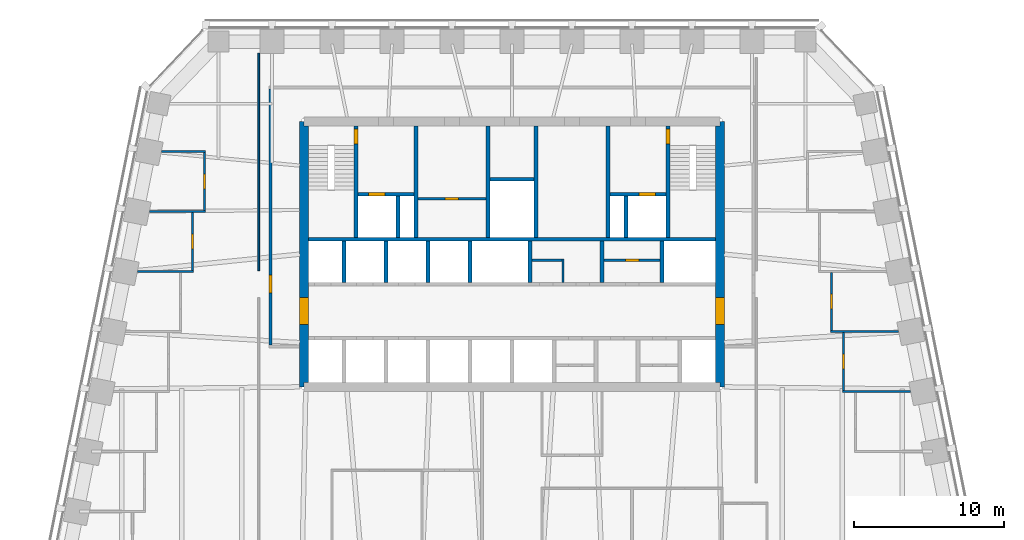
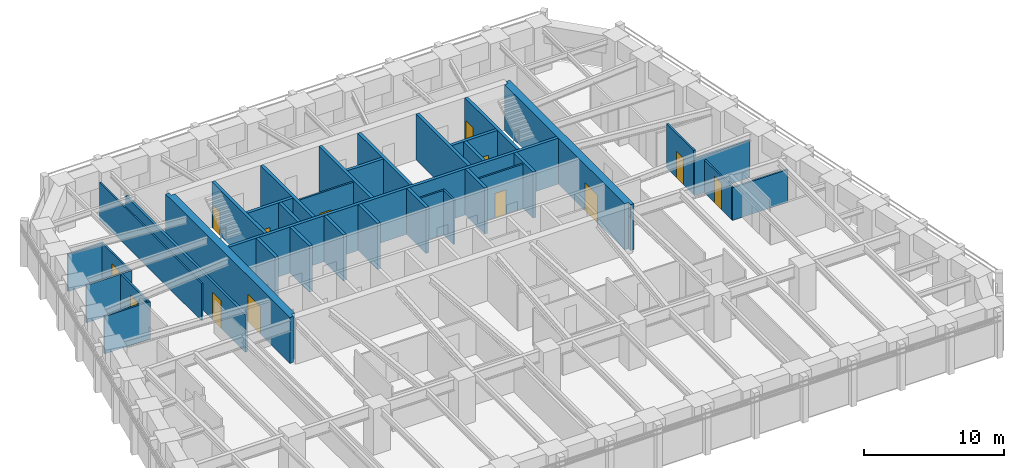
# One storey, part 7 of 10: 36 walls, 13 doors, 13 openings.
"""IFC4 building model written with IfcOpenShell, lengths in metres."""

from ifc_helpers import new_model, si_unit, direction, frame, frame_2d, origin, place, context, subcontext, project, spatial, polyline, rectangle, outline, extrude, material, layer, layer_set, type_object, element, fill, save


model = new_model("IFC4")

# Units and contexts
model_context = context("Model", 3, precision=1e-05, world=origin(), true_north=direction((0.0, 1.0)))
body_context = subcontext(model_context, "Body", "Model", "MODEL_VIEW")
ifc_project = project(units=[si_unit("LENGTHUNIT", "METRE"), si_unit("AREAUNIT", "SQUARE_METRE"), si_unit("VOLUMEUNIT", "CUBIC_METRE"), si_unit("PLANEANGLEUNIT", "RADIAN"), si_unit("MASSUNIT", "GRAM", prefix="KILO")], contexts=[model_context])

# Site, building, storey
site_placement = place(None, origin())
site = spatial("IfcSite", under=ifc_project, at=site_placement, CompositionType="ELEMENT")
building_placement = place(site_placement, origin())
building = spatial("IfcBuilding", under=site, at=building_placement, Name="Isbrekke Arena Tower", CompositionType="ELEMENT")
storey_placement = place(building_placement, frame((0.0, 0.0, 198.0)))
storey = spatial("IfcBuildingStorey", under=building, at=storey_placement, Name="L45", CompositionType="ELEMENT", Elevation=198.0)

# Wall, opening, door
ifc_material_1 = material(Name="Concrete B55 (C55/67)", Category="concrete")
ifc_layer_1 = layer(ifc_material_1, 0.60009765625)
ifc_layer_set_1 = layer_set([ifc_layer_1], Name="CW4 CORE WALL 600")
wall_type_1 = type_object("IfcWallType", Name="CW4 CORE WALL 600", PredefinedType="SHEAR", material=ifc_layer_set_1)
wall_1_placement = place(storey_placement, frame((13.85009765625, 6.14990234375, 0.0), z_axis=(0.0, 0.0, 1.0), x_axis=(0.0, 1.0, 0.0)))
wall_1 = element("IfcWall", 1, at=wall_1_placement, inside=storey, type_object=wall_type_1, Name="Core wall E L45", PredefinedType="SHEAR", context=body_context, shape_type="SweptSolid", body=[
    extrude(outline(polyline([(0.0, -0.300048828125), (17.7001953125, -0.300048828125), (17.7001953125, 0.0), (17.400146484375, 0.0), (17.400146484375, 0.300048828125), (0.300048828125, 0.300048828125), (0.300048828125, 0.0), (0.0, 0.0), (0.0, -0.300048828125)])), origin(), (0.0, 0.0, 1.0), 4.0),
])
opening_1_placement = place(wall_1_placement, frame((4.14990234375, 0.0, 0.0)))
opening_1 = element("IfcOpeningElement", 2, at=opening_1_placement, cuts=wall_1, Name="Opening D1", PredefinedType="OPENING", context=body_context, shape_type="SweptSolid", body=[
    extrude(rectangle(XDim=1.800048828125, YDim=2.39990234375, at=frame_2d((0.89990234375, 1.199951171875))), frame((0.0, 0.31494140625, 0.0), z_axis=(0.0, -1.0, 0.0), x_axis=(1.0, 0.0, 0.0)), (0.0, 0.0, 1.0), 0.6298828125),
])
ifc_material_2 = material(Name="Steel-framed glazed fire door", Category="steel")
door_type_1 = type_object("IfcDoorType", Name="D1 CORE LOBBY DOOR 1800 x 2400", OperationType="DOUBLE_DOOR_SINGLE_SWING", PredefinedType="DOOR", material=ifc_material_2)
door_1_placement = place(opening_1_placement, origin())
door_1 = element("IfcDoor", 3, at=door_1_placement, inside=storey, type_object=door_type_1, Name="D1 lift lobby door east L45", OperationType="DOUBLE_DOOR_SINGLE_SWING", OverallHeight=2.39990234375, OverallWidth=1.800048828125, PredefinedType="DOOR", context=body_context, shape_type="SweptSolid", body=[
    extrude(rectangle(XDim=1.800048828125, YDim=2.39990234375, at=frame_2d((0.89990234375, 1.199951171875))), frame((0.0, 0.2998046875, 0.0), z_axis=(0.0, -1.0, 0.0), x_axis=(1.0, 0.0, 0.0)), (0.0, 0.0, 1.0), 0.599609375),
])
fill(opening_1, door_1)

wall_2_placement = place(storey_placement, frame((-13.85009765625, 23.85009765625, 0.0), z_axis=(0.0, 0.0, 1.0), x_axis=(0.0, -1.0, 0.0)))
wall_2 = element("IfcWall", 4, at=wall_2_placement, inside=storey, type_object=wall_type_1, Name="Core wall W L45", PredefinedType="SHEAR", context=body_context, shape_type="SweptSolid", body=[
    extrude(outline(polyline([(0.0, -0.300048828125), (17.7001953125, -0.300048828125), (17.7001953125, 0.0), (17.400146484375, 0.0), (17.400146484375, 0.300048828125), (0.300048828125, 0.300048828125), (0.300048828125, 0.0), (0.0, 0.0), (0.0, -0.300048828125)])), origin(), (0.0, 0.0, 1.0), 4.0),
])
opening_2_placement = place(wall_2_placement, frame((11.75, 0.0, 0.0)))
opening_2 = element("IfcOpeningElement", 5, at=opening_2_placement, cuts=wall_2, Name="Opening D1", PredefinedType="OPENING", context=body_context, shape_type="SweptSolid", body=[
    extrude(rectangle(XDim=1.800048828125, YDim=2.39990234375, at=frame_2d((0.89990234375, 1.199951171875))), frame((0.0, 0.31494140625, 0.0), z_axis=(0.0, -1.0, 0.0), x_axis=(1.0, 0.0, 0.0)), (0.0, 0.0, 1.0), 0.6298828125),
])
door_2_placement = place(opening_2_placement, origin())
door_2 = element("IfcDoor", 6, at=door_2_placement, inside=storey, type_object=door_type_1, Name="D1 lift lobby door west L45", OperationType="DOUBLE_DOOR_SINGLE_SWING", OverallHeight=2.39990234375, OverallWidth=1.800048828125, PredefinedType="DOOR", context=body_context, shape_type="SweptSolid", body=[
    extrude(rectangle(XDim=1.800048828125, YDim=2.39990234375, at=frame_2d((0.89990234375, 1.199951171875))), frame((0.0, 0.2998046875, 0.0), z_axis=(0.0, -1.0, 0.0), x_axis=(1.0, 0.0, 0.0)), (0.0, 0.0, 1.0), 0.599609375),
])
fill(opening_2, door_2)

# Walls
ifc_material_3 = material(Name="Concrete B45 (C45/55)", Category="concrete")
ifc_layer_2 = layer(ifc_material_3, 0.25)
ifc_layer_set_2 = layer_set([ifc_layer_2], Name="CW6 SHAFT WALL 250")
wall_type_2 = type_object("IfcWallType", Name="CW6 SHAFT WALL 250", PredefinedType="SHEAR", material=ifc_layer_set_2)
wall_3_placement = place(storey_placement, frame((-13.550048828125, 16.0, 0.0), z_axis=(0.0, 0.0, 1.0), x_axis=(1.0, 0.0, 0.0)))
element("IfcWall", 7, at=wall_3_placement, inside=storey, type_object=wall_type_2, Name="Core wall NB L45", PredefinedType="SHEAR", context=body_context, shape_type="SweptSolid", body=[
    extrude(rectangle(XDim=27.10009765625, YDim=0.25, at=frame_2d((13.550048828125, 0.0))), origin(), (0.0, 0.0, 1.0), 4.0),
])
for number, where, z_axis, x_axis, name in (
    (8, (-11.199951171875, 13.125, 0.0), (0.0, 0.0, 1.0), (0.0, 1.0, 0.0), "Core wall SN01 L45"),
    (9, (-8.39990234375, 13.125, 0.0), (0.0, 0.0, 1.0), (0.0, 1.0, 0.0), "Core wall SN02 L45"),
    (10, (-5.60009765625, 13.125, 0.0), (0.0, 0.0, 1.0), (0.0, 1.0, 0.0), "Core wall SN03 L45"),
    (11, (-2.800048828125, 13.125, 0.0), (0.0, 0.0, 1.0), (0.0, 1.0, 0.0), "Core wall SN04 L45"),
    (12, (1.199951171875, 13.125, 0.0), (0.0, 0.0, 1.0), (0.0, 1.0, 0.0), "Core wall SN05 L45"),
    (13, (6.0, 13.125, 0.0), (0.0, 0.0, 1.0), (0.0, 1.0, 0.0), "Core wall SN06 L45"),
    (14, (10.0, 13.125, 0.0), (0.0, 0.0, 1.0), (0.0, 1.0, 0.0), "Core wall SN07 L45"),
):
    element("IfcWall", number, at=place(storey_placement, frame(where, z_axis=z_axis, x_axis=x_axis)), inside=storey, type_object=wall_type_2, Name=name, PredefinedType="SHEAR", context=body_context, shape_type="SweptSolid", body=[
        extrude(rectangle(XDim=2.75, YDim=0.25, at=frame_2d((1.375, 0.0))), origin(), (0.0, 0.0, 1.0), 4.0),
    ])

# Wall, opening, door
wall_4_placement = place(storey_placement, frame((-10.39990234375, 16.125, 0.0), z_axis=(0.0, 0.0, 1.0), x_axis=(0.0, 1.0, 0.0)))
wall_4 = element("IfcWall", 15, at=wall_4_placement, inside=storey, type_object=wall_type_2, Name="Core wall NV01 L45", PredefinedType="SHEAR", context=body_context, shape_type="SweptSolid", body=[
    extrude(rectangle(XDim=7.425048828125, YDim=0.25, at=frame_2d((3.71240234375, 0.0))), origin(), (0.0, 0.0, 1.0), 4.0),
])
opening_3_placement = place(wall_4_placement, frame((6.22509765625, 0.0, 0.0)))
opening_3 = element("IfcOpeningElement", 16, at=opening_3_placement, cuts=wall_4, Name="Opening D2", PredefinedType="OPENING", context=body_context, shape_type="SweptSolid", body=[
    extrude(rectangle(XDim=1.0, YDim=2.10009765625, at=frame_2d((0.5, 1.050048828125))), frame((0.0, 0.139892578125, 0.0), z_axis=(0.0, -1.0, 0.0), x_axis=(1.0, 0.0, 0.0)), (0.0, 0.0, 1.0), 0.27978515625),
])
ifc_material_4 = material(Name="Steel fire door", Category="steel")
door_type_2 = type_object("IfcDoorType", Name="D2 STAIR DOOR 1000 x 2100", OperationType="SINGLE_SWING_LEFT", PredefinedType="DOOR", material=ifc_material_4)
door_3_placement = place(opening_3_placement, origin())
door_3 = element("IfcDoor", 17, at=door_3_placement, inside=storey, type_object=door_type_2, Name="D2 stair door ST1 L45", OperationType="SINGLE_SWING_LEFT", OverallHeight=2.10009765625, OverallWidth=1.0, PredefinedType="DOOR", context=body_context, shape_type="SweptSolid", body=[
    extrude(rectangle(XDim=1.0, YDim=2.10009765625, at=frame_2d((0.5, 1.050048828125))), frame((0.0, 0.124755859375, 0.0), z_axis=(0.0, -1.0, 0.0), x_axis=(1.0, 0.0, 0.0)), (0.0, 0.0, 1.0), 0.24951171875),
])
fill(opening_3, door_3)

# Walls
for number, where, z_axis, x_axis, name in (
    (18, (-6.39990234375, 16.125, 0.0), (0.0, 0.0, 1.0), (0.0, 1.0, 0.0), "Core wall NV02 L45"),
    (19, (-1.60009765625, 16.125, 0.0), (0.0, 0.0, 1.0), (0.0, 1.0, 0.0), "Core wall NV03 L45"),
    (20, (1.60009765625, 16.125, 0.0), (0.0, 0.0, 1.0), (0.0, 1.0, 0.0), "Core wall NV04 L45"),
    (21, (6.39990234375, 16.125, 0.0), (0.0, 0.0, 1.0), (0.0, 1.0, 0.0), "Core wall NV05 L45"),
):
    element("IfcWall", number, at=place(storey_placement, frame(where, z_axis=z_axis, x_axis=x_axis)), inside=storey, type_object=wall_type_2, Name=name, PredefinedType="SHEAR", context=body_context, shape_type="SweptSolid", body=[
        extrude(rectangle(XDim=7.425048828125, YDim=0.25, at=frame_2d((3.71240234375, 0.0))), origin(), (0.0, 0.0, 1.0), 4.0),
    ])

# Wall, opening, door
wall_5_placement = place(storey_placement, frame((10.39990234375, 16.125, 0.0), z_axis=(0.0, 0.0, 1.0), x_axis=(0.0, 1.0, 0.0)))
wall_5 = element("IfcWall", 22, at=wall_5_placement, inside=storey, type_object=wall_type_2, Name="Core wall NV06 L45", PredefinedType="SHEAR", context=body_context, shape_type="SweptSolid", body=[
    extrude(rectangle(XDim=7.425048828125, YDim=0.25, at=frame_2d((3.71240234375, 0.0))), origin(), (0.0, 0.0, 1.0), 4.0),
])
opening_4_placement = place(wall_5_placement, frame((6.22509765625, 0.0, 0.0)))
opening_4 = element("IfcOpeningElement", 23, at=opening_4_placement, cuts=wall_5, Name="Opening D2", PredefinedType="OPENING", context=body_context, shape_type="SweptSolid", body=[
    extrude(rectangle(XDim=1.0, YDim=2.10009765625, at=frame_2d((0.5, 1.050048828125))), frame((0.0, 0.139892578125, 0.0), z_axis=(0.0, -1.0, 0.0), x_axis=(1.0, 0.0, 0.0)), (0.0, 0.0, 1.0), 0.27978515625),
])
door_4_placement = place(opening_4_placement, origin())
door_4 = element("IfcDoor", 24, at=door_4_placement, inside=storey, type_object=door_type_2, Name="D2 stair door ST2 L45", OperationType="SINGLE_SWING_LEFT", OverallHeight=2.10009765625, OverallWidth=1.0, PredefinedType="DOOR", context=body_context, shape_type="SweptSolid", body=[
    extrude(rectangle(XDim=1.0, YDim=2.10009765625, at=frame_2d((0.5, 1.050048828125))), frame((0.0, 0.124755859375, 0.0), z_axis=(0.0, -1.0, 0.0), x_axis=(1.0, 0.0, 0.0)), (0.0, 0.0, 1.0), 0.24951171875),
])
fill(opening_4, door_4)

wall_6_placement = place(storey_placement, frame((-10.27490234375, 19.0, 0.0), z_axis=(0.0, 0.0, 1.0), x_axis=(1.0, 0.0, 0.0)))
wall_6 = element("IfcWall", 25, at=wall_6_placement, inside=storey, type_object=wall_type_2, Name="Core wall NFW L45", PredefinedType="SHEAR", context=body_context, shape_type="SweptSolid", body=[
    extrude(rectangle(XDim=3.75, YDim=0.25, at=frame_2d((1.875, 0.0))), origin(), (0.0, 0.0, 1.0), 4.0),
])
opening_5_placement = place(wall_6_placement, frame((0.72509765625, 0.0, 0.0)))
opening_5 = element("IfcOpeningElement", 26, at=opening_5_placement, cuts=wall_6, Name="Opening LD2", PredefinedType="OPENING", context=body_context, shape_type="SweptSolid", body=[
    extrude(rectangle(XDim=1.10009765625, YDim=2.10009765625, at=frame_2d((0.550048828125, 1.050048828125))), frame((0.0, 0.139892578125, 0.0), z_axis=(0.0, -1.0, 0.0), x_axis=(1.0, 0.0, 0.0)), (0.0, 0.0, 1.0), 0.27978515625),
])
ifc_material_5 = material(Name="Stainless steel lift landing door", Category="steel")
door_type_3 = type_object("IfcDoorType", Name="LD2 FIRE-FIGHTING LIFT LANDING DOOR 1100 x 2100", OperationType="SLIDING_TO_RIGHT", PredefinedType="DOOR", material=ifc_material_5)
door_5_placement = place(opening_5_placement, origin())
door_5 = element("IfcDoor", 27, at=door_5_placement, inside=storey, type_object=door_type_3, Name="LD2 lift landing door LF L45", OperationType="SLIDING_TO_RIGHT", OverallHeight=2.10009765625, OverallWidth=1.10009765625, PredefinedType="DOOR", context=body_context, shape_type="SweptSolid", body=[
    extrude(rectangle(XDim=1.10009765625, YDim=2.10009765625, at=frame_2d((0.550048828125, 1.050048828125))), frame((0.0, 0.124755859375, 0.0), z_axis=(0.0, -1.0, 0.0), x_axis=(1.0, 0.0, 0.0)), (0.0, 0.0, 1.0), 0.24951171875),
])
fill(opening_5, door_5)

wall_7_placement = place(storey_placement, frame((6.52490234375, 19.0, 0.0), z_axis=(0.0, 0.0, 1.0), x_axis=(1.0, 0.0, 0.0)))
wall_7 = element("IfcWall", 28, at=wall_7_placement, inside=storey, type_object=wall_type_2, Name="Core wall NFE L45", PredefinedType="SHEAR", context=body_context, shape_type="SweptSolid", body=[
    extrude(rectangle(XDim=3.75, YDim=0.25, at=frame_2d((1.875, 0.0))), origin(), (0.0, 0.0, 1.0), 4.0),
])
opening_6_placement = place(wall_7_placement, frame((1.925048828125, 0.0, 0.0)))
opening_6 = element("IfcOpeningElement", 29, at=opening_6_placement, cuts=wall_7, Name="Opening LD2", PredefinedType="OPENING", context=body_context, shape_type="SweptSolid", body=[
    extrude(rectangle(XDim=1.10009765625, YDim=2.10009765625, at=frame_2d((0.550048828125, 1.050048828125))), frame((0.0, 0.139892578125, 0.0), z_axis=(0.0, -1.0, 0.0), x_axis=(1.0, 0.0, 0.0)), (0.0, 0.0, 1.0), 0.27978515625),
])
door_6_placement = place(opening_6_placement, origin())
door_6 = element("IfcDoor", 30, at=door_6_placement, inside=storey, type_object=door_type_3, Name="LD2 lift landing door LF L45", OperationType="SLIDING_TO_RIGHT", OverallHeight=2.10009765625, OverallWidth=1.10009765625, PredefinedType="DOOR", context=body_context, shape_type="SweptSolid", body=[
    extrude(rectangle(XDim=1.10009765625, YDim=2.10009765625, at=frame_2d((0.550048828125, 1.050048828125))), frame((0.0, 0.124755859375, 0.0), z_axis=(0.0, -1.0, 0.0), x_axis=(1.0, 0.0, 0.0)), (0.0, 0.0, 1.0), 0.24951171875),
])
fill(opening_6, door_6)

# Walls
for number, where, z_axis, x_axis, name in (
    (31, (-7.60009765625, 16.125, 0.0), (0.0, 0.0, 1.0), (0.0, 1.0, 0.0), "Core wall NFS1 L45"),
    (32, (7.60009765625, 16.125, 0.0), (0.0, 0.0, 1.0), (0.0, 1.0, 0.0), "Core wall NFS2 L45"),
):
    element("IfcWall", number, at=place(storey_placement, frame(where, z_axis=z_axis, x_axis=x_axis)), inside=storey, type_object=wall_type_2, Name=name, PredefinedType="SHEAR", context=body_context, shape_type="SweptSolid", body=[
        extrude(rectangle(XDim=2.75, YDim=0.25, at=frame_2d((1.375, 0.0))), origin(), (0.0, 0.0, 1.0), 4.0),
    ])
wall_8_placement = place(storey_placement, frame((-1.47509765625, 20.0, 0.0), z_axis=(0.0, 0.0, 1.0), x_axis=(1.0, 0.0, 0.0)))
element("IfcWall", 33, at=wall_8_placement, inside=storey, type_object=wall_type_2, Name="Core wall NWC L45", PredefinedType="SHEAR", context=body_context, shape_type="SweptSolid", body=[
    extrude(rectangle(XDim=2.9501953125, YDim=0.25, at=frame_2d((1.47509765625, 0.0))), origin(), (0.0, 0.0, 1.0), 4.0),
])
ifc_material_6 = material(Name="Gypsum board partition on steel studs", Category="steel")
ifc_layer_3 = layer(ifc_material_6, 0.14990234375)
ifc_layer_set_3 = layer_set([ifc_layer_3], Name="IW1 PARTITION 150")
wall_type_3 = type_object("IfcWallType", Name="IW1 PARTITION 150", PredefinedType="PARTITIONING", material=ifc_layer_set_3)
wall_9_placement = place(storey_placement, frame((22.02490234375, 5.840087890625, 0.0), z_axis=(0.0, 0.0, 1.0), x_axis=(1.0, 0.0, 0.0)))
element("IfcWall", 34, at=wall_9_placement, inside=storey, type_object=wall_type_3, Name="IW1 partition 150 L45", PredefinedType="PARTITIONING", context=body_context, shape_type="SweptSolid", body=[
    extrude(rectangle(XDim=4.5498046875, YDim=0.14990234375, at=frame_2d((2.27490234375, 0.0))), origin(), (0.0, 0.0, 1.0), 2.842041015625),
])
wall_10_placement = place(storey_placement, frame((21.22509765625, 9.840087890625, 0.0), z_axis=(0.0, 0.0, 1.0), x_axis=(1.0, 0.0, 0.0)))
element("IfcWall", 35, at=wall_10_placement, inside=storey, type_object=wall_type_3, Name="IW1 partition 150 L45", PredefinedType="PARTITIONING", context=body_context, shape_type="SweptSolid", body=[
    extrude(rectangle(XDim=4.5498046875, YDim=0.14990234375, at=frame_2d((2.27490234375, 0.0))), origin(), (0.0, 0.0, 1.0), 3.25),
])
for number, where, z_axis, x_axis, name in (
    (36, (-24.974853515625, 13.840087890625, 0.0), (0.0, 0.0, 1.0), (1.0, 0.0, 0.0), "IW1 partition 150 L45"),
    (37, (-24.1748046875, 17.840087890625, 0.0), (0.0, 0.0, 1.0), (1.0, 0.0, 0.0), "IW1 partition 150 L45"),
):
    element("IfcWall", number, at=place(storey_placement, frame(where, z_axis=z_axis, x_axis=x_axis)), inside=storey, type_object=wall_type_3, Name=name, PredefinedType="PARTITIONING", context=body_context, shape_type="SweptSolid", body=[
        extrude(rectangle(XDim=3.749755859375, YDim=0.14990234375, at=frame_2d((1.875, 0.0))), origin(), (0.0, 0.0, 1.0), 3.25),
    ])
wall_11_placement = place(storey_placement, frame((-23.374755859375, 21.840087890625, 0.0), z_axis=(0.0, 0.0, 1.0), x_axis=(1.0, 0.0, 0.0)))
element("IfcWall", 38, at=wall_11_placement, inside=storey, type_object=wall_type_3, Name="IW1 partition 150 L45", PredefinedType="PARTITIONING", context=body_context, shape_type="SweptSolid", body=[
    extrude(rectangle(XDim=2.94970703125, YDim=0.14990234375, at=frame_2d((1.474853515625, 0.0))), origin(), (0.0, 0.0, 1.0), 3.25),
])

# Wall, opening, door
wall_12_placement = place(storey_placement, frame((-21.300048828125, 13.9150390625, 0.0), z_axis=(0.0, 0.0, 1.0), x_axis=(0.0, 1.0, 0.0)))
wall_12 = element("IfcWall", 39, at=wall_12_placement, inside=storey, type_object=wall_type_3, Name="IW1 partition 150 L45", PredefinedType="PARTITIONING", context=body_context, shape_type="SweptSolid", body=[
    extrude(rectangle(XDim=3.849853515625, YDim=0.14990234375, at=frame_2d((1.9248046875, 0.0))), origin(), (0.0, 0.0, 1.0), 3.25),
])
opening_7_placement = place(wall_12_placement, frame((1.425048828125, 0.0, 0.0)))
opening_7 = element("IfcOpeningElement", 40, at=opening_7_placement, cuts=wall_12, Name="Opening D10", PredefinedType="OPENING", context=body_context, shape_type="SweptSolid", body=[
    extrude(rectangle(XDim=1.0, YDim=2.300048828125, at=frame_2d((0.5, 1.14990234375))), frame((0.0, 0.08984375, 0.0), z_axis=(0.0, -1.0, 0.0), x_axis=(1.0, 0.0, 0.0)), (0.0, 0.0, 1.0), 0.1796875),
])
ifc_material_7 = material(Name="Timber door", Category="wood")
door_type_4 = type_object("IfcDoorType", Name="D10 OFFICE DOOR 1000 x 2300", OperationType="SINGLE_SWING_LEFT", PredefinedType="DOOR", material=ifc_material_7)
door_7_placement = place(opening_7_placement, origin())
door_7 = element("IfcDoor", 41, at=door_7_placement, inside=storey, type_object=door_type_4, Name="D10 office door L45", OperationType="SINGLE_SWING_LEFT", OverallHeight=2.300048828125, OverallWidth=1.0, PredefinedType="DOOR", context=body_context, shape_type="SweptSolid", body=[
    extrude(rectangle(XDim=1.0, YDim=2.300048828125, at=frame_2d((0.5, 1.14990234375))), frame((0.0, 0.07470703125, 0.0), z_axis=(0.0, -1.0, 0.0), x_axis=(1.0, 0.0, 0.0)), (0.0, 0.0, 1.0), 0.1494140625),
])
fill(opening_7, door_7)

wall_13_placement = place(storey_placement, frame((-20.5, 17.9150390625, 0.0), z_axis=(0.0, 0.0, 1.0), x_axis=(0.0, 1.0, 0.0)))
wall_13 = element("IfcWall", 42, at=wall_13_placement, inside=storey, type_object=wall_type_3, Name="IW1 partition 150 L45", PredefinedType="PARTITIONING", context=body_context, shape_type="SweptSolid", body=[
    extrude(rectangle(XDim=3.849853515625, YDim=0.14990234375, at=frame_2d((1.9248046875, 0.0))), origin(), (0.0, 0.0, 1.0), 3.25),
])
opening_8_placement = place(wall_13_placement, frame((1.425048828125, 0.0, 0.0)))
opening_8 = element("IfcOpeningElement", 43, at=opening_8_placement, cuts=wall_13, Name="Opening D10", PredefinedType="OPENING", context=body_context, shape_type="SweptSolid", body=[
    extrude(rectangle(XDim=1.0, YDim=2.300048828125, at=frame_2d((0.5, 1.14990234375))), frame((0.0, 0.08984375, 0.0), z_axis=(0.0, -1.0, 0.0), x_axis=(1.0, 0.0, 0.0)), (0.0, 0.0, 1.0), 0.1796875),
])
door_8_placement = place(opening_8_placement, origin())
door_8 = element("IfcDoor", 44, at=door_8_placement, inside=storey, type_object=door_type_4, Name="D10 office door L45", OperationType="SINGLE_SWING_LEFT", OverallHeight=2.300048828125, OverallWidth=1.0, PredefinedType="DOOR", context=body_context, shape_type="SweptSolid", body=[
    extrude(rectangle(XDim=1.0, YDim=2.300048828125, at=frame_2d((0.5, 1.14990234375))), frame((0.0, 0.07470703125, 0.0), z_axis=(0.0, -1.0, 0.0), x_axis=(1.0, 0.0, 0.0)), (0.0, 0.0, 1.0), 0.1494140625),
])
fill(opening_8, door_8)

wall_14_placement = place(storey_placement, frame((21.300048828125, 9.9150390625, 0.0), z_axis=(0.0, 0.0, 1.0), x_axis=(0.0, 1.0, 0.0)))
wall_14 = element("IfcWall", 45, at=wall_14_placement, inside=storey, type_object=wall_type_3, Name="IW1 partition 150 L45", PredefinedType="PARTITIONING", context=body_context, shape_type="SweptSolid", body=[
    extrude(rectangle(XDim=3.849853515625, YDim=0.14990234375, at=frame_2d((1.9248046875, 0.0))), origin(), (0.0, 0.0, 1.0), 3.85009765625),
])
opening_9_placement = place(wall_14_placement, frame((1.425048828125, 0.0, 0.0)))
opening_9 = element("IfcOpeningElement", 46, at=opening_9_placement, cuts=wall_14, Name="Opening D10", PredefinedType="OPENING", context=body_context, shape_type="SweptSolid", body=[
    extrude(rectangle(XDim=1.0, YDim=2.300048828125, at=frame_2d((0.5, 1.14990234375))), frame((0.0, 0.08984375, 0.0), z_axis=(0.0, -1.0, 0.0), x_axis=(1.0, 0.0, 0.0)), (0.0, 0.0, 1.0), 0.1796875),
])
door_9_placement = place(opening_9_placement, origin())
door_9 = element("IfcDoor", 47, at=door_9_placement, inside=storey, type_object=door_type_4, Name="D10 office door L45", OperationType="SINGLE_SWING_LEFT", OverallHeight=2.300048828125, OverallWidth=1.0, PredefinedType="DOOR", context=body_context, shape_type="SweptSolid", body=[
    extrude(rectangle(XDim=1.0, YDim=2.300048828125, at=frame_2d((0.5, 1.14990234375))), frame((0.0, 0.07470703125, 0.0), z_axis=(0.0, -1.0, 0.0), x_axis=(1.0, 0.0, 0.0)), (0.0, 0.0, 1.0), 0.1494140625),
])
fill(opening_9, door_9)

wall_15_placement = place(storey_placement, frame((22.10009765625, 5.9150390625, 0.0), z_axis=(0.0, 0.0, 1.0), x_axis=(0.0, 1.0, 0.0)))
wall_15 = element("IfcWall", 48, at=wall_15_placement, inside=storey, type_object=wall_type_3, Name="IW1 partition 150 L45", PredefinedType="PARTITIONING", context=body_context, shape_type="SweptSolid", body=[
    extrude(rectangle(XDim=3.849853515625, YDim=0.14990234375, at=frame_2d((1.9248046875, 0.0))), origin(), (0.0, 0.0, 1.0), 2.842041015625),
])
opening_10_placement = place(wall_15_placement, frame((1.425048828125, 0.0, 0.0)))
opening_10 = element("IfcOpeningElement", 49, at=opening_10_placement, cuts=wall_15, Name="Opening D10", PredefinedType="OPENING", context=body_context, shape_type="SweptSolid", body=[
    extrude(rectangle(XDim=1.0, YDim=2.300048828125, at=frame_2d((0.5, 1.14990234375))), frame((0.0, 0.08984375, 0.0), z_axis=(0.0, -1.0, 0.0), x_axis=(1.0, 0.0, 0.0)), (0.0, 0.0, 1.0), 0.1796875),
])
door_10_placement = place(opening_10_placement, origin())
door_10 = element("IfcDoor", 50, at=door_10_placement, inside=storey, type_object=door_type_4, Name="D10 office door L45", OperationType="SINGLE_SWING_LEFT", OverallHeight=2.300048828125, OverallWidth=1.0, PredefinedType="DOOR", context=body_context, shape_type="SweptSolid", body=[
    extrude(rectangle(XDim=1.0, YDim=2.300048828125, at=frame_2d((0.5, 1.14990234375))), frame((0.0, 0.07470703125, 0.0), z_axis=(0.0, -1.0, 0.0), x_axis=(1.0, 0.0, 0.0)), (0.0, 0.0, 1.0), 0.1494140625),
])
fill(opening_10, door_10)

# Wall
ifc_material_8 = material(Name="Frameless glazed partition, laminated acoustic glass", Category="glass")
ifc_layer_4 = layer(ifc_material_8, 0.1201171875)
ifc_layer_set_4 = layer_set([ifc_layer_4], Name="IW2 GLAZED PARTITION 120")
wall_type_4 = type_object("IfcWallType", Name="IW2 GLAZED PARTITION 120", PredefinedType="PARTITIONING", material=ifc_layer_set_4)
wall_16_placement = place(storey_placement, frame((-16.888916015625, 13.89990234375, 0.0), z_axis=(0.0, 0.0, 1.0), x_axis=(0.0, 1.0, 0.0)))
element("IfcWall", 51, at=wall_16_placement, inside=storey, type_object=wall_type_4, Name="IW2 glazed partition 120 L45", PredefinedType="PARTITIONING", context=body_context, shape_type="SweptSolid", body=[
    extrude(rectangle(XDim=14.5, YDim=0.1201171875, at=frame_2d((7.25, 0.0))), origin(), (0.0, 0.0, 1.0), 3.25),
])

# Wall, opening, door
ifc_material_9 = material(Name="Gypsum board fire-cell wall on steel studs, two layers each side", Category="steel")
ifc_layer_5 = layer(ifc_material_9, 0.199951171875)
ifc_layer_set_5 = layer_set([ifc_layer_5], Name="IW3 FIRE-CELL WALL 200")
wall_type_5 = type_object("IfcWallType", Name="IW3 FIRE-CELL WALL 200", PredefinedType="PARTITIONING", material=ifc_layer_set_5)
wall_17_placement = place(storey_placement, frame((-16.10009765625, 8.949951171875, 0.0), z_axis=(0.0, 0.0, 1.0), x_axis=(0.0, 1.0, 0.0)))
wall_17 = element("IfcWall", 52, at=wall_17_placement, inside=storey, type_object=wall_type_5, Name="IW3 fire-cell wall 200 L45", PredefinedType="PARTITIONING", context=body_context, shape_type="SweptSolid", body=[
    extrude(rectangle(XDim=17.050048828125, YDim=0.199951171875, at=frame_2d((8.52490234375, 0.0))), origin(), (0.0, 0.0, 1.0), 3.25),
])
opening_11_placement = place(wall_17_placement, frame((3.449951171875, 0.0, 0.0)))
opening_11 = element("IfcOpeningElement", 53, at=opening_11_placement, cuts=wall_17, Name="Opening D12", PredefinedType="OPENING", context=body_context, shape_type="SweptSolid", body=[
    extrude(rectangle(XDim=1.199951171875, YDim=2.39990234375, at=frame_2d((0.60009765625, 1.199951171875))), frame((0.0, 0.11474609375, 0.0), z_axis=(0.0, -1.0, 0.0), x_axis=(1.0, 0.0, 0.0)), (0.0, 0.0, 1.0), 0.229736328125),
])
ifc_material_10 = material(Name="Timber fire door with vision panel", Category="wood")
door_type_5 = type_object("IfcDoorType", Name="D12 SUITE ENTRANCE DOOR 1200 x 2400", OperationType="SINGLE_SWING_LEFT", PredefinedType="DOOR", material=ifc_material_10)
door_11_placement = place(opening_11_placement, origin())
door_11 = element("IfcDoor", 54, at=door_11_placement, inside=storey, type_object=door_type_5, Name="D12 suite entrance W door L45", OperationType="SINGLE_SWING_LEFT", OverallHeight=2.39990234375, OverallWidth=1.199951171875, PredefinedType="DOOR", context=body_context, shape_type="SweptSolid", body=[
    extrude(rectangle(XDim=1.199951171875, YDim=2.39990234375, at=frame_2d((0.60009765625, 1.199951171875))), frame((0.0, 0.099609375, 0.0), z_axis=(0.0, -1.0, 0.0), x_axis=(1.0, 0.0, 0.0)), (0.0, 0.0, 1.0), 0.199462890625),
])
fill(opening_11, door_11)

ifc_material_11 = material(Name="Gypsum board fire-rated partition on steel studs, two layers each side", Category="steel")
ifc_layer_6 = layer(ifc_material_11, 0.14990234375)
ifc_layer_set_6 = layer_set([ifc_layer_6], Name="IW5 FIRE-RATED PARTITION 150")
wall_type_6 = type_object("IfcWallType", Name="IW5 FIRE-RATED PARTITION 150", PredefinedType="PARTITIONING", material=ifc_layer_set_6)
wall_18_placement = place(storey_placement, frame((-6.27490234375, 18.699951171875, 0.0), z_axis=(0.0, 0.0, 1.0), x_axis=(1.0, 0.0, 0.0)))
wall_18 = element("IfcWall", 55, at=wall_18_placement, inside=storey, type_object=wall_type_6, Name="IW5 fire-rated partition L45 cleaner's store F", PredefinedType="PARTITIONING", context=body_context, shape_type="SweptSolid", body=[
    extrude(rectangle(XDim=4.5498046875, YDim=0.14990234375, at=frame_2d((2.27490234375, 0.0))), origin(), (0.0, 0.0, 1.0), 3.85009765625),
])
opening_12_placement = place(wall_18_placement, frame((1.824951171875, 0.0, 0.0)))
opening_12 = element("IfcOpeningElement", 56, at=opening_12_placement, cuts=wall_18, Name="Opening D5", PredefinedType="OPENING", context=body_context, shape_type="SweptSolid", body=[
    extrude(rectangle(XDim=0.89990234375, YDim=2.10009765625, at=frame_2d((0.449951171875, 1.050048828125))), frame((0.0, 0.08984375, 0.0), z_axis=(0.0, -1.0, 0.0), x_axis=(1.0, 0.0, 0.0)), (0.0, 0.0, 1.0), 0.1796875),
])
ifc_material_12 = material(Name="Steel fire door", Category="steel")
door_type_6 = type_object("IfcDoorType", Name="D5 SERVICE DOOR 900 x 2100", OperationType="SINGLE_SWING_LEFT", PredefinedType="DOOR", material=ifc_material_12)
door_12_placement = place(opening_12_placement, origin())
door_12 = element("IfcDoor", 57, at=door_12_placement, inside=storey, type_object=door_type_6, Name="D5 cleaner's store door L45", OperationType="SINGLE_SWING_LEFT", OverallHeight=2.10009765625, OverallWidth=0.89990234375, PredefinedType="DOOR", context=body_context, shape_type="SweptSolid", body=[
    extrude(rectangle(XDim=0.89990234375, YDim=2.10009765625, at=frame_2d((0.449951171875, 1.050048828125))), frame((0.0, 0.07470703125, 0.0), z_axis=(0.0, -1.0, 0.0), x_axis=(1.0, 0.0, 0.0)), (0.0, 0.0, 1.0), 0.1494140625),
])
fill(opening_12, door_12)

# Walls
wall_19_placement = place(storey_placement, frame((3.39990234375, 13.125, 0.0), z_axis=(0.0, 0.0, 1.0), x_axis=(0.0, 1.0, 0.0)))
element("IfcWall", 58, at=wall_19_placement, inside=storey, type_object=wall_type_6, Name="IW5 fire-rated partition L45 core service rooms 1", PredefinedType="PARTITIONING", context=body_context, shape_type="SweptSolid", body=[
    extrude(rectangle(XDim=1.550048828125, YDim=0.14990234375, at=frame_2d((0.77490234375, 0.0))), origin(), (0.0, 0.0, 1.0), 3.85009765625),
])
wall_20_placement = place(storey_placement, frame((1.324951171875, 14.60009765625, 0.0), z_axis=(0.0, 0.0, 1.0), x_axis=(1.0, 0.0, 0.0)))
element("IfcWall", 59, at=wall_20_placement, inside=storey, type_object=wall_type_6, Name="IW5 fire-rated partition L45 core service rooms 2", PredefinedType="PARTITIONING", context=body_context, shape_type="SweptSolid", body=[
    extrude(rectangle(XDim=2.0, YDim=0.14990234375, at=frame_2d((1.0, 0.0))), origin(), (0.0, 0.0, 1.0), 3.85009765625),
])

# Wall, opening, door
wall_21_placement = place(storey_placement, frame((6.125, 14.60009765625, 0.0), z_axis=(0.0, 0.0, 1.0), x_axis=(1.0, 0.0, 0.0)))
wall_21 = element("IfcWall", 60, at=wall_21_placement, inside=storey, type_object=wall_type_6, Name="IW5 fire-rated partition L45 core service rooms 3", PredefinedType="PARTITIONING", context=body_context, shape_type="SweptSolid", body=[
    extrude(rectangle(XDim=3.75, YDim=0.14990234375, at=frame_2d((1.875, 0.0))), origin(), (0.0, 0.0, 1.0), 3.85009765625),
])
opening_13_placement = place(wall_21_placement, frame((1.425048828125, 0.0, 0.0)))
opening_13 = element("IfcOpeningElement", 61, at=opening_13_placement, cuts=wall_21, Name="Opening D5", PredefinedType="OPENING", context=body_context, shape_type="SweptSolid", body=[
    extrude(rectangle(XDim=0.89990234375, YDim=2.10009765625, at=frame_2d((0.449951171875, 1.050048828125))), frame((0.0, 0.08984375, 0.0), z_axis=(0.0, -1.0, 0.0), x_axis=(1.0, 0.0, 0.0)), (0.0, 0.0, 1.0), 0.1796875),
])
door_13_placement = place(opening_13_placement, origin())
door_13 = element("IfcDoor", 62, at=door_13_placement, inside=storey, type_object=door_type_6, Name="D5 archive door L45", OperationType="SINGLE_SWING_LEFT", OverallHeight=2.10009765625, OverallWidth=0.89990234375, PredefinedType="DOOR", context=body_context, shape_type="SweptSolid", body=[
    extrude(rectangle(XDim=0.89990234375, YDim=2.10009765625, at=frame_2d((0.449951171875, 1.050048828125))), frame((0.0, 0.07470703125, 0.0), z_axis=(0.0, -1.0, 0.0), x_axis=(1.0, 0.0, 0.0)), (0.0, 0.0, 1.0), 0.1494140625),
])
fill(opening_13, door_13)

save(model, "model.ifc")
